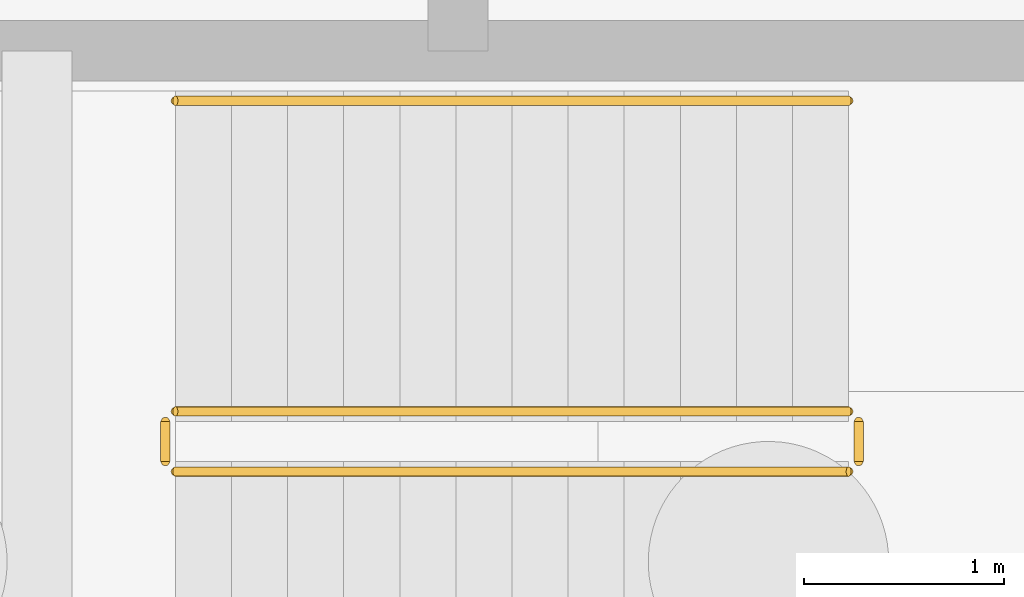
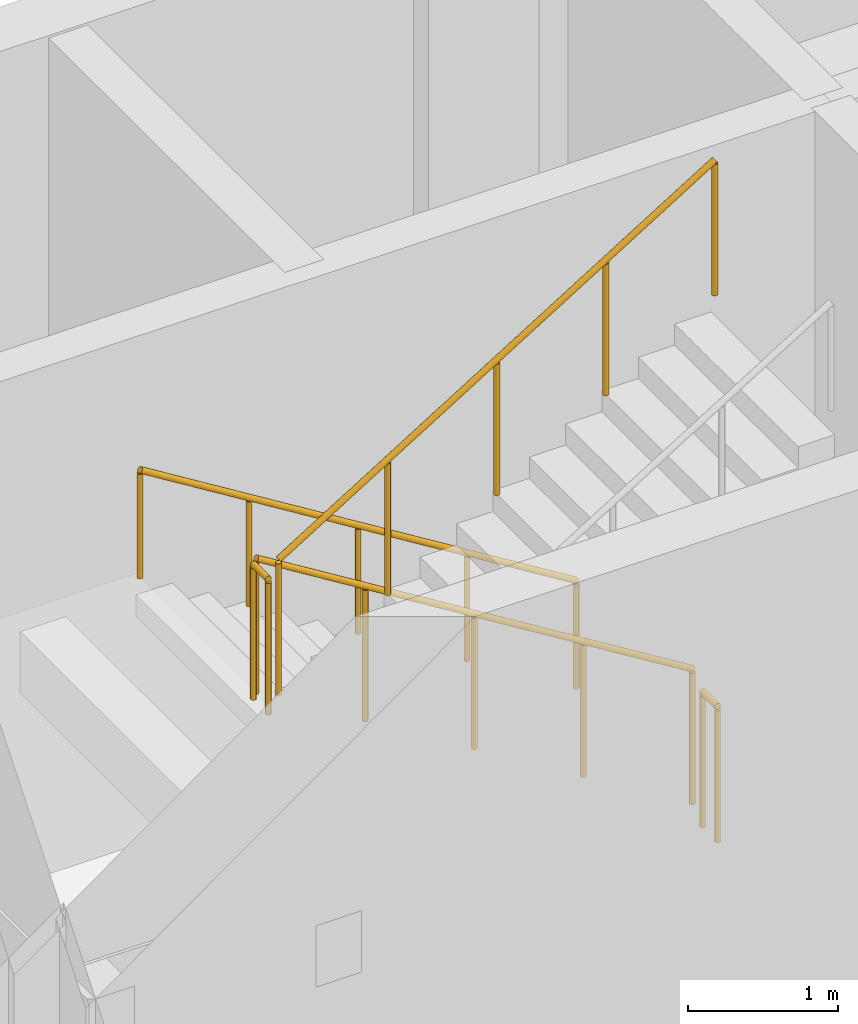
# One storey, part 38 of 42: 5 railings.
"""IFC4 building model written with IfcOpenShell, lengths in metres."""

from ifc_helpers import new_model, si_unit, direction, frame, origin, origin_2d, place, context, subcontext, project, spatial, circle, extrude, material, type_object, element, save


model = new_model("IFC4")

# Units and contexts
model_context = context("Model", 3, precision=1e-05, world=origin(), true_north=direction((0.0, 1.0)))
body_context = subcontext(model_context, "Body", "Model", "MODEL_VIEW")
ifc_project = project(units=[si_unit("LENGTHUNIT", "METRE"), si_unit("AREAUNIT", "SQUARE_METRE"), si_unit("VOLUMEUNIT", "CUBIC_METRE"), si_unit("PLANEANGLEUNIT", "RADIAN"), si_unit("MASSUNIT", "GRAM", prefix="KILO")], contexts=[model_context])

# Site, building, storey
site_placement = place(None, origin())
site = spatial("IfcSite", under=ifc_project, at=site_placement, CompositionType="ELEMENT")
building_placement = place(site_placement, origin())
building = spatial("IfcBuilding", under=site, at=building_placement, Name="Dalvernix Boulevard General Hospital", CompositionType="ELEMENT")
storey_placement = place(building_placement, frame((0.0, 0.0, -4.5)))
storey = spatial("IfcBuildingStorey", under=building, at=storey_placement, Name="B1", CompositionType="ELEMENT", Elevation=-4.5)

# Railings
ifc_material_1 = material(Name="Brushed stainless steel balustrade", Category="steel")
railing_type_1 = type_object("IfcRailingType", Name="RL-GR-INT1", PredefinedType="BALUSTRADE", material=ifc_material_1)
railing_1_placement = place(storey_placement, frame((66.35009765625, 111.800048828125, 0.173095703125)))
element("IfcRailing", 1, at=railing_1_placement, inside=storey, type_object=railing_type_1, Name="B1 ST-03 stair guard 1", PredefinedType="BALUSTRADE", context=body_context, shape_type="SweptSolid", body=[
    extrude(circle(Radius=0.02392578125, at=origin_2d()), frame((0.0, 0.0, 1.09619140625), z_axis=(-0.850623216509, 0.0, 0.525775754039), x_axis=(0.0, -1.0, 0.0)), (0.0, 0.0, 1.0), 3.9501953125),
    extrude(circle(Radius=0.02099609375, at=origin_2d()), origin(), (0.0, 0.0, 1.0), 1.072021484375),
    extrude(circle(Radius=0.02099609375, at=origin_2d()), frame((-0.840087890625, 0.0, 0.519287109375)), (0.0, 0.0, 1.0), 1.072021484375),
    extrude(circle(Radius=0.02099609375, at=origin_2d()), frame((-1.68017578125, 0.0, 1.03857421875)), (0.0, 0.0, 1.0), 1.072021484375),
    extrude(circle(Radius=0.02099609375, at=origin_2d()), frame((-2.52001953125, 0.0, 1.5576171875)), (0.0, 0.0, 1.0), 1.072021484375),
    extrude(circle(Radius=0.02099609375, at=origin_2d()), frame((-3.360107421875, 0.0, 2.076904296875)), (0.0, 0.0, 1.0), 1.072021484375),
])
railing_2_placement = place(storey_placement, frame((62.93994140625, 111.75, 2.25)))
element("IfcRailing", 2, at=railing_2_placement, inside=storey, type_object=railing_type_1, Name="B1 ST-03 stair guard 2", PredefinedType="BALUSTRADE", context=body_context, shape_type="SweptSolid", body=[
    extrude(circle(Radius=0.02392578125, at=origin_2d()), frame((0.0, 0.0, 1.09619140625), z_axis=(0.0, -1.0, 0.0), x_axis=(1.0, 0.0, 0.0)), (0.0, 0.0, 1.0), 0.199951171875),
    extrude(circle(Radius=0.02099609375, at=origin_2d()), origin(), (0.0, 0.0, 1.0), 1.072021484375),
    extrude(circle(Radius=0.02099609375, at=origin_2d()), frame((0.0, -0.199951171875, 0.0)), (0.0, 0.0, 1.0), 1.072021484375),
])
railing_3_placement = place(storey_placement, frame((62.989990234375, 111.5, 2.423095703125)))
element("IfcRailing", 3, at=railing_3_placement, inside=storey, type_object=railing_type_1, Name="B1 ST-03 stair guard 3", PredefinedType="BALUSTRADE", context=body_context, shape_type="SweptSolid", body=[
    extrude(circle(Radius=0.02392578125, at=origin_2d()), frame((0.0, 0.0, 1.09619140625), z_axis=(0.850623216509, 0.0, 0.525775754039), x_axis=(0.0, 1.0, 0.0)), (0.0, 0.0, 1.0), 3.9501953125),
    extrude(circle(Radius=0.02099609375, at=origin_2d()), origin(), (0.0, 0.0, 1.0), 1.072021484375),
    extrude(circle(Radius=0.02099609375, at=origin_2d()), frame((0.840087890625, 0.0, 0.519287109375)), (0.0, 0.0, 1.0), 1.072021484375),
    extrude(circle(Radius=0.02099609375, at=origin_2d()), frame((1.68017578125, 0.0, 1.03857421875)), (0.0, 0.0, 1.0), 1.072021484375),
    extrude(circle(Radius=0.02099609375, at=origin_2d()), frame((2.52001953125, 0.0, 1.5576171875)), (0.0, 0.0, 1.0), 1.072021484375),
    extrude(circle(Radius=0.02099609375, at=origin_2d()), frame((3.360107421875, 0.0, 2.076904296875)), (0.0, 0.0, 1.0), 1.072021484375),
])
railing_4_placement = place(storey_placement, frame((66.39990234375, 111.75, 0.0)))
element("IfcRailing", 4, at=railing_4_placement, inside=storey, type_object=railing_type_1, Name="B1 ST-03 stair guard 4", PredefinedType="BALUSTRADE", context=body_context, shape_type="SweptSolid", body=[
    extrude(circle(Radius=0.02392578125, at=origin_2d()), frame((0.0, 0.0, 1.09619140625), z_axis=(0.0, -1.0, 0.0), x_axis=(1.0, 0.0, 0.0)), (0.0, 0.0, 1.0), 0.199951171875),
    extrude(circle(Radius=0.02099609375, at=origin_2d()), origin(), (0.0, 0.0, 1.0), 1.072021484375),
    extrude(circle(Radius=0.02099609375, at=origin_2d()), frame((0.0, -0.199951171875, 0.0)), (0.0, 0.0, 1.0), 1.072021484375),
])
ifc_material_2 = material(Name="Brushed stainless steel wall handrail", Category="steel")
railing_type_2 = type_object("IfcRailingType", Name="RL-HR-INT1", PredefinedType="HANDRAIL", material=ifc_material_2)
railing_5_placement = place(storey_placement, frame((66.35009765625, 113.35009765625, 0.173095703125)))
element("IfcRailing", 5, at=railing_5_placement, inside=storey, type_object=railing_type_2, Name="B1 ST-03 stair handrail 1", PredefinedType="HANDRAIL", context=body_context, shape_type="SweptSolid", body=[
    extrude(circle(Radius=0.02392578125, at=origin_2d()), frame((0.0, 0.0, 0.8759765625), z_axis=(-0.850623216509, 0.0, 0.525775754039), x_axis=(0.0, -1.0, 0.0)), (0.0, 0.0, 1.0), 3.9501953125),
    extrude(circle(Radius=0.02099609375, at=origin_2d()), origin(), (0.0, 0.0, 1.0), 0.851806640625),
    extrude(circle(Radius=0.02099609375, at=origin_2d()), frame((-0.840087890625, 0.0, 0.519287109375)), (0.0, 0.0, 1.0), 0.851806640625),
    extrude(circle(Radius=0.02099609375, at=origin_2d()), frame((-1.68017578125, 0.0, 1.03857421875)), (0.0, 0.0, 1.0), 0.851806640625),
    extrude(circle(Radius=0.02099609375, at=origin_2d()), frame((-2.52001953125, 0.0, 1.5576171875)), (0.0, 0.0, 1.0), 0.851806640625),
    extrude(circle(Radius=0.02099609375, at=origin_2d()), frame((-3.360107421875, 0.0, 2.076904296875)), (0.0, 0.0, 1.0), 0.851806640625),
])

save(model, "model.ifc")
